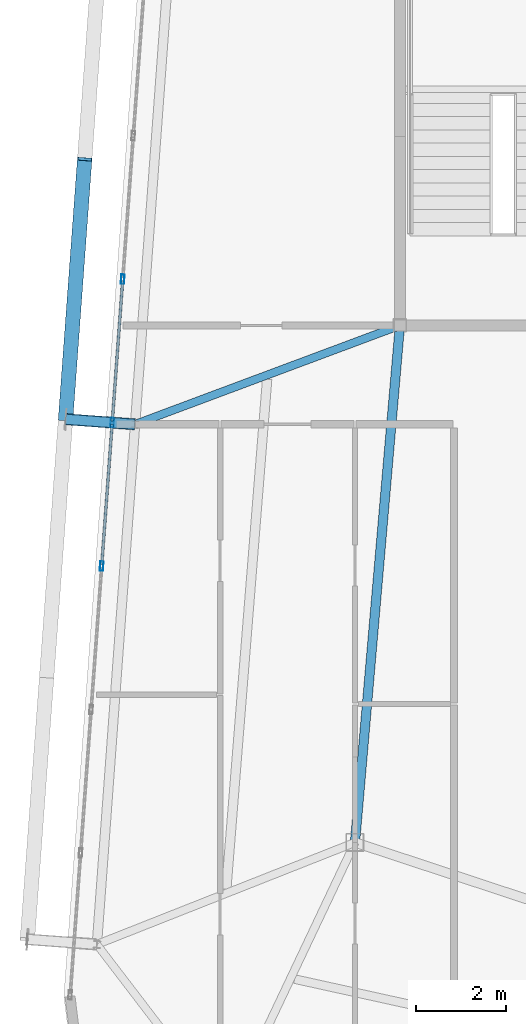
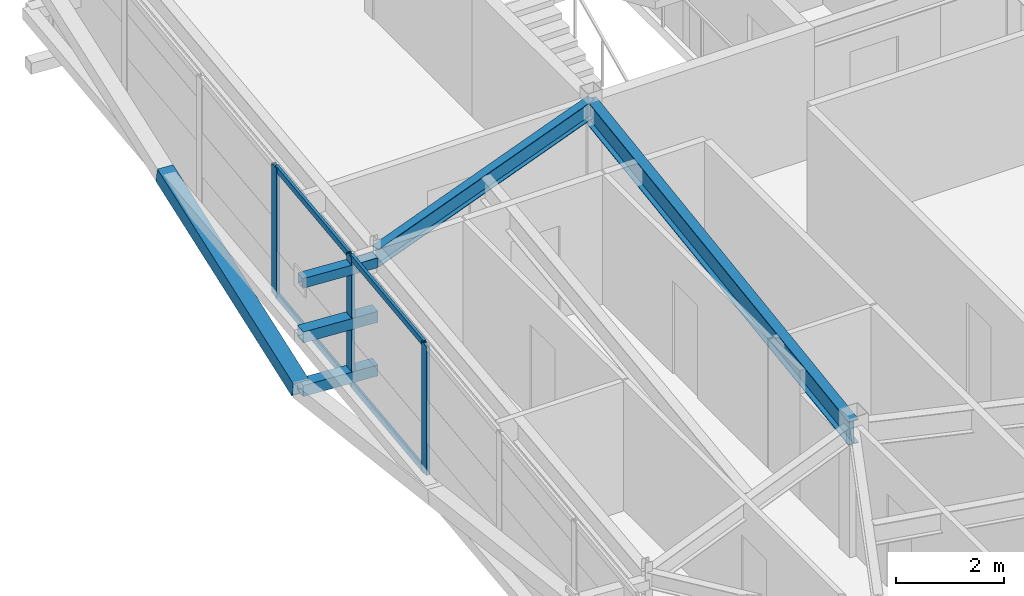
# One storey, part 15 of 42: 11 members, 2 beams, 1 element without a shape of its own.
"""IFC4 building model written with IfcOpenShell, lengths in metres."""

from ifc_helpers import new_model, si_unit, direction, frame, origin, origin_2d, place, context, subcontext, project, spatial, hollow_rectangle, i_section, extrude, source, transform, mapped, material, layer, layer_set, material_profile, profile_set, type_object, element, aggregate, save


model = new_model("IFC4")

# Units and contexts
model_context = context("Model", 3, precision=1e-05, world=origin(), true_north=direction((0.0, 1.0)))
body_context = subcontext(model_context, "Body", "Model", "MODEL_VIEW")
ifc_project = project(units=[si_unit("LENGTHUNIT", "METRE"), si_unit("AREAUNIT", "SQUARE_METRE"), si_unit("VOLUMEUNIT", "CUBIC_METRE"), si_unit("PLANEANGLEUNIT", "RADIAN"), si_unit("MASSUNIT", "GRAM", prefix="KILO")], contexts=[model_context])

# Site, building, storey
site_placement = place(None, origin())
site = spatial("IfcSite", under=ifc_project, at=site_placement, CompositionType="ELEMENT")
building_placement = place(site_placement, origin())
building = spatial("IfcBuilding", under=site, at=building_placement, Name="Taldren Reach Tower", CompositionType="ELEMENT")
storey_placement = place(building_placement, frame((0.0, 0.0, 220.85009765625)))
storey = spatial("IfcBuildingStorey", under=building, at=storey_placement, Name="L67", CompositionType="ELEMENT", Elevation=220.85009765625)

# Beams
ifc_material_1 = material(Name="Steel Gr 350 (350PLUS)", Category="steel")
ifc_material_profile_1 = material_profile(ifc_material_1, i_section(OverallWidth=0.208984375, OverallDepth=0.532958984375, WebThickness=0.01025390625, FlangeThickness=0.015625, at=origin_2d()), Name="530UB92.4")
ifc_profile_set_1 = profile_set([ifc_material_profile_1], Name="Steel Gr 350 (350PLUS)")
beam_type_1 = type_object("IfcBeamType", Name="BM-UB530A", PredefinedType="BEAM", material=ifc_profile_set_1)
shared_shape_1 = source(origin(), body_context, "Body", "SweptSolid", [
    extrude(i_section(OverallWidth=0.208984375, OverallDepth=0.532958984375, WebThickness=0.01025390625, FlangeThickness=0.015625, at=origin_2d()), origin(), (0.0, 0.0, 1.0), 11.54345703125),
])
beam_1_placement = place(storey_placement, frame((19.0, 24.0, 2.663330078125), z_axis=(-0.086629616365, -0.996240588196, 0.0), x_axis=(0.996240588196, -0.086629616365, 0.0)))
element("IfcBeam", 1, at=beam_1_placement, inside=storey, type_object=beam_type_1, Name="Core-spine girder L67-SP09", PredefinedType="BEAM", context=body_context, shape_type="MappedRepresentation", body=[
    mapped(shared_shape_1, transform((0.0, 0.0, 0.0), scale=1.0)),
])
ifc_material_profile_2 = material_profile(ifc_material_1, i_section(OverallWidth=0.177978515625, OverallDepth=0.406005859375, WebThickness=0.0078125, FlangeThickness=0.0126953125, at=origin_2d()), Name="410UB59.7")
ifc_profile_set_2 = profile_set([ifc_material_profile_2], Name="Steel Gr 350 (350PLUS)")
beam_type_2 = type_object("IfcBeamType", Name="BM-UB410", PredefinedType="BEAM", material=ifc_profile_set_2)
shared_shape_2 = source(origin(), body_context, "Body", "SweptSolid", [
    extrude(i_section(OverallWidth=0.177978515625, OverallDepth=0.406005859375, WebThickness=0.0078125, FlangeThickness=0.0126953125, at=origin_2d()), origin(), (0.0, 0.0, 1.0), 6.28857421875),
])
beam_2_placement = place(storey_placement, frame((19.0, 24.0, 2.726806640625), z_axis=(-0.936827605945, -0.349791418904, 0.0), x_axis=(0.349791418904, -0.936827605945, 0.0)))
element("IfcBeam", 2, at=beam_2_placement, inside=storey, type_object=beam_type_2, Name="Primary floor girder B5-W2 L67", PredefinedType="BEAM", context=body_context, shape_type="MappedRepresentation", body=[
    mapped(shared_shape_2, transform((0.0, 0.0, 0.0), scale=1.0)),
])

# Members
ifc_material_2 = material(Name="Steel Gr 450 (C450L0)", Category="steel")
ifc_material_profile_3 = material_profile(ifc_material_2, hollow_rectangle(XDim=0.219970703125, YDim=0.219970703125, WallThickness=0.00830078125, at=origin_2d()), Name="220x220x8.2SHS")
ifc_profile_set_3 = profile_set([ifc_material_profile_3], Name="Steel Gr 450 (C450L0)")
member_type_1 = type_object("IfcMemberType", Name="MB-TIE219", PredefinedType="STRUT", material=ifc_profile_set_3)
shared_shape_3 = source(origin(), body_context, "Body", "SweptSolid", [
    extrude(hollow_rectangle(XDim=0.219970703125, YDim=0.219970703125, WallThickness=0.00830078125, at=origin_2d()), origin(), (0.0, 0.0, 1.0), 1.546142578125),
])
member_1_placement = place(storey_placement, frame((13.104736328125, 21.800537109375, 2.64990234375), z_axis=(-0.997312378271, 0.073266773831, 0.0), x_axis=(-0.073266773831, -0.997312378271, 0.0)))
element("IfcMember", 3, at=member_1_placement, inside=storey, type_object=member_type_1, Name="Exoskeleton diaphragm tie strut B5-W2 L67", PredefinedType="STRUT", context=body_context, shape_type="MappedRepresentation", body=[
    mapped(shared_shape_3, transform((0.0, 0.0, 0.0), scale=1.0)),
])
ifc_material_profile_4 = material_profile(ifc_material_2, hollow_rectangle(XDim=0.324951171875, YDim=0.324951171875, WallThickness=0.0126953125, at=origin_2d()), Name="325x325x12.7SHS")
ifc_profile_set_4 = profile_set([ifc_material_profile_4], Name="Steel Gr 450 (C450L0)")
member_type_2 = type_object("IfcMemberType", Name="MB-BR324", PredefinedType="BRACE", material=ifc_profile_set_4)
shared_shape_4 = source(origin(), body_context, "Body", "SweptSolid", [
    extrude(hollow_rectangle(XDim=0.324951171875, YDim=0.324951171875, WallThickness=0.0126953125, at=origin_2d()), origin(), (0.0, 0.0, 1.0), 5.92578125),
])
member_2_placement = place(storey_placement, frame((11.562744140625, 21.913818359375, 0.219970703125), z_axis=(0.071686540919, 0.976131732187, 0.205007027365), x_axis=(-0.997314185625, 0.073242167855, 0.0)))
element("IfcMember", 4, at=member_2_placement, inside=storey, type_object=member_type_2, Name="Exoskeleton Diagrid Brace B5-W2 L67", PredefinedType="BRACE", context=body_context, shape_type="MappedRepresentation", body=[
    mapped(shared_shape_4, transform((0.0, 0.0, 0.0), scale=1.0)),
])
ifc_material_3 = material(Name="Steel Gr 350 (C350L0)", Category="steel")
ifc_material_profile_5 = material_profile(ifc_material_3, hollow_rectangle(XDim=0.25, YDim=0.25, WallThickness=0.010009765625, at=origin_2d()), Name="250x250x10.0SHS")
ifc_profile_set_5 = profile_set([ifc_material_profile_5], Name="Steel Gr 350 (C350L0)")
member_type_3 = type_object("IfcMemberType", Name="MB-POST250", PredefinedType="POST", material=ifc_profile_set_5)
shared_shape_5 = source(origin(), body_context, "Body", "SweptSolid", [
    extrude(hollow_rectangle(XDim=0.25, YDim=0.25, WallThickness=0.010009765625, at=origin_2d()), origin(), (0.0, 0.0, 1.0), 1.546142578125),
])
for number, where, z_axis, x_axis, name in (
    (5, (13.104736328125, 21.800537109375, 0.219970703125), (-0.997312378271, 0.073266773831, 0.0), (-0.073266773831, -0.997312378271, 0.0), "Exoskeleton base diaphragm tie strut B5-W2 L67"),
    (6, (13.104736328125, 21.800537109375, 1.434814453125), (-0.997312378271, 0.073266773831, 0.0), (-0.073266773831, -0.997312378271, 0.0), "Exoskeleton mid-tier diaphragm tie B5-W2 L67"),
):
    element("IfcMember", number, at=place(storey_placement, frame(where, z_axis=z_axis, x_axis=x_axis)), inside=storey, type_object=member_type_3, Name=name, PredefinedType="POST", context=body_context, shape_type="MappedRepresentation", body=[
        mapped(shared_shape_5, transform((0.0, 0.0, 0.0), scale=1.0)),
    ])

# Curtain wall, members
ifc_material_4 = material(Name="Aluminium and Low-E Glass Unitised System", Category="aluminium")
ifc_layer = layer(ifc_material_4, 0.159912109375)
ifc_layer_set = layer_set([ifc_layer], Name="Aluminium and Low-E Glass Unitised System")
curtain_wall_type = type_object("IfcCurtainWallType", Name="CW-SYS-6", PredefinedType="NOTDEFINED", material=ifc_layer_set)
curtain_wall_placement = place(storey_placement, origin())
curtain_wall = element("IfcCurtainWall", 7, at=curtain_wall_placement, inside=storey, type_object=curtain_wall_type, Name="Unitised curtain wall CW-L67-W", PredefinedType="NOTDEFINED")
ifc_material_5 = material(Name="Anodised Aluminium 6063-T6", Category="aluminium")
ifc_material_profile_6 = material_profile(ifc_material_5, hollow_rectangle(XDim=0.074951171875, YDim=0.2099609375, WallThickness=0.00439453125, at=origin_2d()), Name="ALU-210x75x4.5RHS")
ifc_profile_set_6 = profile_set([ifc_material_profile_6], Name="Anodised Aluminium 6063-T6")
member_type_4 = type_object("IfcMemberType", Name="CW-MUL-200", PredefinedType="MULLION", material=ifc_profile_set_6)
shared_shape_6 = source(origin(), body_context, "Body", "SweptSolid", [
    extrude(hollow_rectangle(XDim=0.074951171875, YDim=0.2099609375, WallThickness=0.00439453125, at=origin_2d()), origin(), (0.0, 0.0, 1.0), 2.929931640625),
])
member_3_placement = place(storey_placement, frame((12.83447265625, 25.029052734375, 0.0), z_axis=(0.0, 0.0, 1.0), x_axis=(0.997314470951, -0.073238282558, 0.0)))
member_3 = element("IfcMember", 8, at=member_3_placement, type_object=member_type_4, Name="CW-6 mullion 4", PredefinedType="MULLION", context=body_context, shape_type="MappedRepresentation", body=[
    mapped(shared_shape_6, transform((0.0, 0.0, 0.0), scale=1.0)),
])
member_4_placement = place(storey_placement, frame((12.60009765625, 21.837646484375, 0.0), z_axis=(0.0, 0.0, 1.0), x_axis=(0.997314470951, -0.073238282558, 0.0)))
member_4 = element("IfcMember", 9, at=member_4_placement, type_object=member_type_4, Name="CW-6 mullion 5", PredefinedType="MULLION", context=body_context, shape_type="MappedRepresentation", body=[
    mapped(shared_shape_6, transform((0.0, 0.0, 0.0), scale=1.0)),
])
member_5_placement = place(storey_placement, frame((12.36572265625, 18.646240234375, 0.0), z_axis=(0.0, 0.0, 1.0), x_axis=(0.997314470951, -0.073238282558, 0.0)))
member_5 = element("IfcMember", 10, at=member_5_placement, type_object=member_type_4, Name="CW-6 mullion 6", PredefinedType="MULLION", context=body_context, shape_type="MappedRepresentation", body=[
    mapped(shared_shape_6, transform((0.0, 0.0, 0.0), scale=1.0)),
])
ifc_material_profile_7 = material_profile(ifc_material_5, hollow_rectangle(XDim=0.06005859375, YDim=0.135009765625, WallThickness=0.00341796875, at=origin_2d()), Name="ALU-135x60x3.5RHS")
ifc_profile_set_7 = profile_set([ifc_material_profile_7], Name="Anodised Aluminium 6063-T6")
member_type_5 = type_object("IfcMemberType", Name="CW-TRN-150", PredefinedType="USERDEFINED", material=ifc_profile_set_7)
shared_shape_7 = source(origin(), body_context, "Body", "SweptSolid", [
    extrude(hollow_rectangle(XDim=0.06005859375, YDim=0.135009765625, WallThickness=0.00341796875, at=origin_2d()), origin(), (0.0, 0.0, 1.0), 3.125),
])
member_6_placement = place(storey_placement, frame((12.831787109375, 24.99169921875, 0.02978515625), z_axis=(-0.073278879567, -0.997311488859, 0.0), x_axis=(0.997311488859, -0.073278879567, 0.0)))
member_6 = element("IfcMember", 11, at=member_6_placement, type_object=member_type_5, Name="CW-6 transom 4.1", ObjectType="TRANSOM", PredefinedType="USERDEFINED", context=body_context, shape_type="MappedRepresentation", body=[
    mapped(shared_shape_7, transform((0.0, 0.0, 0.0), scale=1.0)),
])
member_7_placement = place(storey_placement, frame((12.831787109375, 24.99169921875, 2.89990234375), z_axis=(-0.073278879567, -0.997311488859, 0.0), x_axis=(0.997311488859, -0.073278879567, 0.0)))
member_7 = element("IfcMember", 12, at=member_7_placement, type_object=member_type_5, Name="CW-6 transom 4.2", ObjectType="TRANSOM", PredefinedType="USERDEFINED", context=body_context, shape_type="MappedRepresentation", body=[
    mapped(shared_shape_7, transform((0.0, 0.0, 0.0), scale=1.0)),
])
member_8_placement = place(storey_placement, frame((12.597412109375, 21.80029296875, 0.02978515625), z_axis=(-0.073278879567, -0.997311488859, 0.0), x_axis=(0.997311488859, -0.073278879567, 0.0)))
member_8 = element("IfcMember", 13, at=member_8_placement, type_object=member_type_5, Name="CW-6 transom 5.1", ObjectType="TRANSOM", PredefinedType="USERDEFINED", context=body_context, shape_type="MappedRepresentation", body=[
    mapped(shared_shape_7, transform((0.0, 0.0, 0.0), scale=1.0)),
])
member_9_placement = place(storey_placement, frame((12.597412109375, 21.80029296875, 2.89990234375), z_axis=(-0.073278879567, -0.997311488859, 0.0), x_axis=(0.997311488859, -0.073278879567, 0.0)))
member_9 = element("IfcMember", 14, at=member_9_placement, type_object=member_type_5, Name="CW-6 transom 5.2", ObjectType="TRANSOM", PredefinedType="USERDEFINED", context=body_context, shape_type="MappedRepresentation", body=[
    mapped(shared_shape_7, transform((0.0, 0.0, 0.0), scale=1.0)),
])
aggregate(curtain_wall, [member_3, member_4, member_5, member_6, member_7, member_8, member_9])

save(model, "model.ifc")
